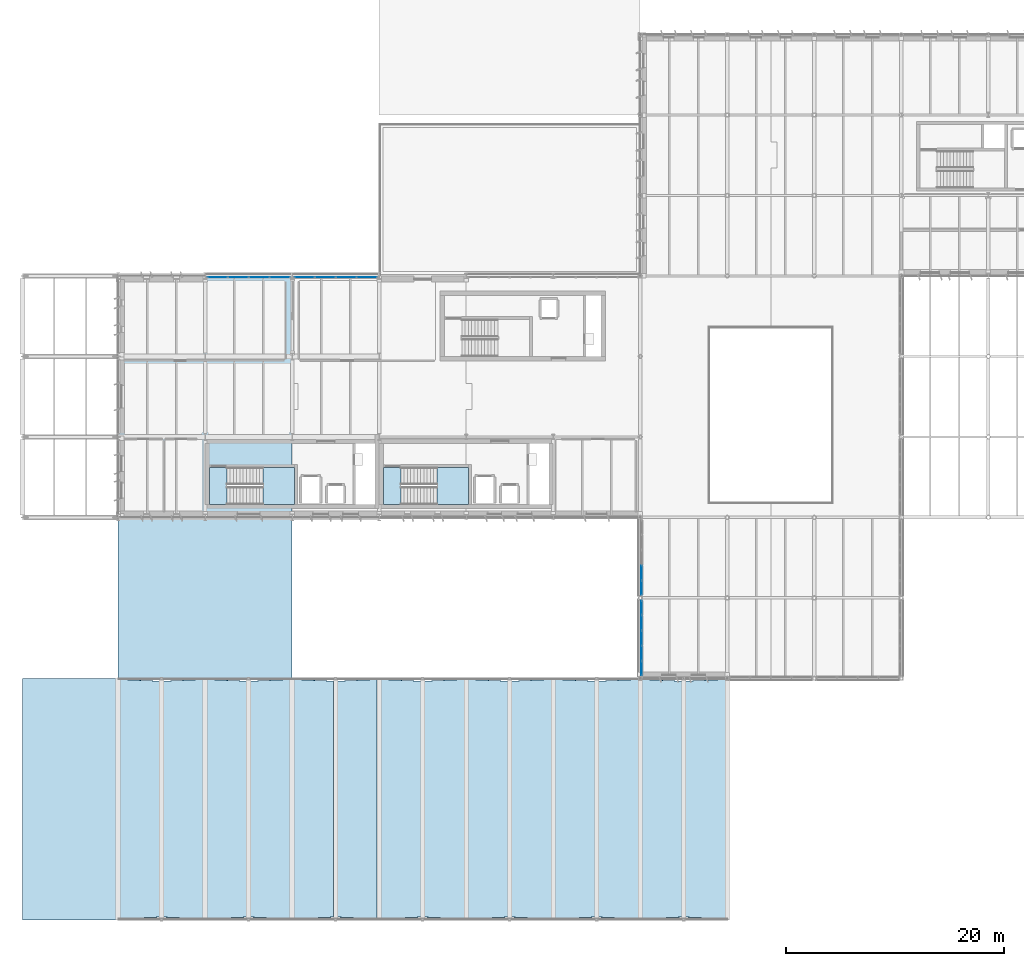
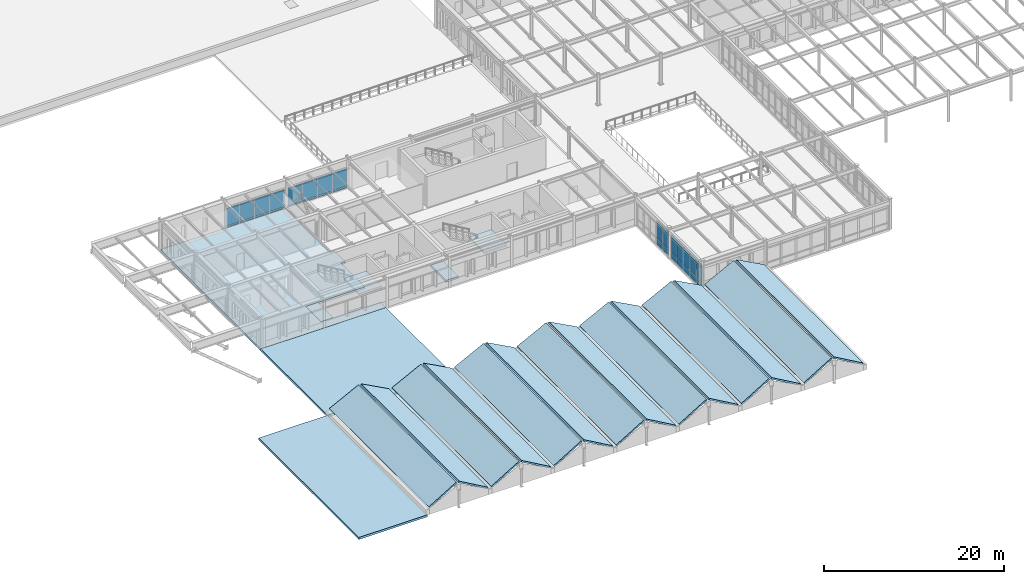
# One storey, part 29 of 63: 37 plates, 21 slabs, 6 elements without a shape of their own.
"""IFC4 building model written with IfcOpenShell, lengths in metres."""

from ifc_helpers import new_model, si_unit, direction, frame, origin, origin_2d, place, context, subcontext, project, spatial, polyline, rectangle, outline, extrude, material, layer, layer_set, type_object, element, aggregate, save


model = new_model("IFC4")

# Units and contexts
model_context = context("Model", 3, precision=1e-05, world=origin(), true_north=direction((0.0, 1.0)))
body_context = subcontext(model_context, "Body", "Model", "MODEL_VIEW")
ifc_project = project(units=[si_unit("LENGTHUNIT", "METRE"), si_unit("AREAUNIT", "SQUARE_METRE"), si_unit("VOLUMEUNIT", "CUBIC_METRE"), si_unit("PLANEANGLEUNIT", "RADIAN"), si_unit("MASSUNIT", "GRAM", prefix="KILO")], contexts=[model_context])

# Site, building, storey
site_placement = place(None, origin())
site = spatial("IfcSite", under=ifc_project, at=site_placement, CompositionType="ELEMENT")
building_placement = place(site_placement, origin())
building = spatial("IfcBuilding", under=site, at=building_placement, Name="Valkorina Park Police Headquarters", CompositionType="ELEMENT")
storey_placement = place(building_placement, frame((0.0, 0.0, 9.89990234375)))
storey = spatial("IfcBuildingStorey", under=building, at=storey_placement, Name="L03", CompositionType="ELEMENT", Elevation=9.89990234375)

# Curtain wall, plates
ifc_material_1 = material(Name="Thermally broken aluminium AW-6060", Category="aluminium")
ifc_layer_1 = layer(ifc_material_1, 0.18994140625)
ifc_layer_set_1 = layer_set([ifc_layer_1], Name="Thermally broken aluminium AW-6060")
curtain_wall_type_1 = type_object("IfcCurtainWallType", Name="CW-V4-7020x3360", PredefinedType="NOTDEFINED", material=ifc_layer_set_1)
curtain_wall_1_placement = place(storey_placement, origin())
curtain_wall_1 = element("IfcCurtainWall", 1, at=curtain_wall_1_placement, inside=storey, type_object=curtain_wall_type_1, Name="L03 Unitised Curtain Wall 028", PredefinedType="NOTDEFINED")
ifc_material_2 = material(Name="Triple low-E insulated glazing", Category="glass")
ifc_layer_2 = layer(ifc_material_2, 0.0380859375)
ifc_layer_set_2 = layer_set([ifc_layer_2], Name="Triple low-E insulated glazing")
plate_type_1 = type_object("IfcPlateType", Name="PL-CWP-ACOUST-38", PredefinedType="CURTAIN_PANEL", material=ifc_layer_set_2)
plate_1_placement = place(storey_placement, frame((56.919921875, 23.1103515625, 0.93994140625), z_axis=(0.0, 0.0, 1.0), x_axis=(0.0, 1.0, 0.0)))
plate_1 = element("IfcPlate", 2, at=plate_1_placement, type_object=plate_type_1, Name="CW-V4-702-336 panel 1.2", PredefinedType="CURTAIN_PANEL", context=body_context, shape_type="SweptSolid", body=[
    extrude(rectangle(XDim=1.284912109375, YDim=0.0380859375, at=origin_2d()), origin(), (0.0, 0.0, 1.0), 1.860107421875),
])
plate_2_placement = place(storey_placement, frame((56.919921875, 23.1103515625, 2.880126953125), z_axis=(0.0, 0.0, 1.0), x_axis=(0.0, 1.0, 0.0)))
plate_2 = element("IfcPlate", 3, at=plate_2_placement, type_object=plate_type_1, Name="CW-V4-702-336 panel 1.3", PredefinedType="CURTAIN_PANEL", context=body_context, shape_type="SweptSolid", body=[
    extrude(rectangle(XDim=1.284912109375, YDim=0.0380859375, at=origin_2d()), origin(), (0.0, 0.0, 1.0), 0.39990234375),
])
plate_3_placement = place(storey_placement, frame((56.919921875, 24.4951171875, 0.93994140625), z_axis=(0.0, 0.0, 1.0), x_axis=(0.0, 1.0, 0.0)))
plate_3 = element("IfcPlate", 4, at=plate_3_placement, type_object=plate_type_1, Name="CW-V4-702-336 panel 2.2", PredefinedType="CURTAIN_PANEL", context=body_context, shape_type="SweptSolid", body=[
    extrude(rectangle(XDim=1.324951171875, YDim=0.0380859375, at=origin_2d()), origin(), (0.0, 0.0, 1.0), 1.860107421875),
])
plate_4_placement = place(storey_placement, frame((56.919921875, 24.4951171875, 2.880126953125), z_axis=(0.0, 0.0, 1.0), x_axis=(0.0, 1.0, 0.0)))
plate_4 = element("IfcPlate", 5, at=plate_4_placement, type_object=plate_type_1, Name="CW-V4-702-336 panel 2.3", PredefinedType="CURTAIN_PANEL", context=body_context, shape_type="SweptSolid", body=[
    extrude(rectangle(XDim=1.324951171875, YDim=0.0380859375, at=origin_2d()), origin(), (0.0, 0.0, 1.0), 0.39990234375),
])
plate_5_placement = place(storey_placement, frame((56.919921875, 25.89990234375, 0.93994140625), z_axis=(0.0, 0.0, 1.0), x_axis=(0.0, 1.0, 0.0)))
plate_5 = element("IfcPlate", 6, at=plate_5_placement, type_object=plate_type_1, Name="CW-V4-702-336 panel 3.2", PredefinedType="CURTAIN_PANEL", context=body_context, shape_type="SweptSolid", body=[
    extrude(rectangle(XDim=1.324951171875, YDim=0.0380859375, at=origin_2d()), origin(), (0.0, 0.0, 1.0), 1.860107421875),
])
plate_6_placement = place(storey_placement, frame((56.919921875, 25.89990234375, 2.880126953125), z_axis=(0.0, 0.0, 1.0), x_axis=(0.0, 1.0, 0.0)))
plate_6 = element("IfcPlate", 7, at=plate_6_placement, type_object=plate_type_1, Name="CW-V4-702-336 panel 3.3", PredefinedType="CURTAIN_PANEL", context=body_context, shape_type="SweptSolid", body=[
    extrude(rectangle(XDim=1.324951171875, YDim=0.0380859375, at=origin_2d()), origin(), (0.0, 0.0, 1.0), 0.39990234375),
])
plate_7_placement = place(storey_placement, frame((56.919921875, 27.304931640625, 0.93994140625), z_axis=(0.0, 0.0, 1.0), x_axis=(0.0, 1.0, 0.0)))
plate_7 = element("IfcPlate", 8, at=plate_7_placement, type_object=plate_type_1, Name="CW-V4-702-336 panel 4.2", PredefinedType="CURTAIN_PANEL", context=body_context, shape_type="SweptSolid", body=[
    extrude(rectangle(XDim=1.324951171875, YDim=0.0380859375, at=origin_2d()), origin(), (0.0, 0.0, 1.0), 1.860107421875),
])
plate_8_placement = place(storey_placement, frame((56.919921875, 27.304931640625, 2.880126953125), z_axis=(0.0, 0.0, 1.0), x_axis=(0.0, 1.0, 0.0)))
plate_8 = element("IfcPlate", 9, at=plate_8_placement, type_object=plate_type_1, Name="CW-V4-702-336 panel 4.3", PredefinedType="CURTAIN_PANEL", context=body_context, shape_type="SweptSolid", body=[
    extrude(rectangle(XDim=1.324951171875, YDim=0.0380859375, at=origin_2d()), origin(), (0.0, 0.0, 1.0), 0.39990234375),
])
plate_9_placement = place(storey_placement, frame((56.919921875, 28.689697265625, 0.93994140625), z_axis=(0.0, 0.0, 1.0), x_axis=(0.0, 1.0, 0.0)))
plate_9 = element("IfcPlate", 10, at=plate_9_placement, type_object=plate_type_1, Name="CW-V4-702-336 panel 5.2", PredefinedType="CURTAIN_PANEL", context=body_context, shape_type="SweptSolid", body=[
    extrude(rectangle(XDim=1.284912109375, YDim=0.0380859375, at=origin_2d()), origin(), (0.0, 0.0, 1.0), 1.860107421875),
])
plate_10_placement = place(storey_placement, frame((56.919921875, 28.689697265625, 2.880126953125), z_axis=(0.0, 0.0, 1.0), x_axis=(0.0, 1.0, 0.0)))
plate_10 = element("IfcPlate", 11, at=plate_10_placement, type_object=plate_type_1, Name="CW-V4-702-336 panel 5.3", PredefinedType="CURTAIN_PANEL", context=body_context, shape_type="SweptSolid", body=[
    extrude(rectangle(XDim=1.284912109375, YDim=0.0380859375, at=origin_2d()), origin(), (0.0, 0.0, 1.0), 0.39990234375),
])

curtain_wall_2_placement = place(storey_placement, origin())
curtain_wall_2 = element("IfcCurtainWall", 12, at=curtain_wall_2_placement, inside=storey, type_object=curtain_wall_type_1, Name="L03 Unitised Curtain Wall 029", PredefinedType="NOTDEFINED")
plate_11_placement = place(storey_placement, frame((56.919921875, 30.51025390625, 0.93994140625), z_axis=(0.0, 0.0, 1.0), x_axis=(0.0, 1.0, 0.0)))
plate_11 = element("IfcPlate", 13, at=plate_11_placement, type_object=plate_type_1, Name="CW-V4-702-336 panel 1.2", PredefinedType="CURTAIN_PANEL", context=body_context, shape_type="SweptSolid", body=[
    extrude(rectangle(XDim=1.284912109375, YDim=0.0380859375, at=origin_2d()), origin(), (0.0, 0.0, 1.0), 1.860107421875),
])
plate_12_placement = place(storey_placement, frame((56.919921875, 30.51025390625, 2.880126953125), z_axis=(0.0, 0.0, 1.0), x_axis=(0.0, 1.0, 0.0)))
plate_12 = element("IfcPlate", 14, at=plate_12_placement, type_object=plate_type_1, Name="CW-V4-702-336 panel 1.3", PredefinedType="CURTAIN_PANEL", context=body_context, shape_type="SweptSolid", body=[
    extrude(rectangle(XDim=1.284912109375, YDim=0.0380859375, at=origin_2d()), origin(), (0.0, 0.0, 1.0), 0.39990234375),
])
plate_13_placement = place(storey_placement, frame((56.919921875, 31.89501953125, 0.93994140625), z_axis=(0.0, 0.0, 1.0), x_axis=(0.0, 1.0, 0.0)))
plate_13 = element("IfcPlate", 15, at=plate_13_placement, type_object=plate_type_1, Name="CW-V4-702-336 panel 2.2", PredefinedType="CURTAIN_PANEL", context=body_context, shape_type="SweptSolid", body=[
    extrude(rectangle(XDim=1.324951171875, YDim=0.0380859375, at=origin_2d()), origin(), (0.0, 0.0, 1.0), 1.860107421875),
])
plate_14_placement = place(storey_placement, frame((56.919921875, 31.89501953125, 2.880126953125), z_axis=(0.0, 0.0, 1.0), x_axis=(0.0, 1.0, 0.0)))
plate_14 = element("IfcPlate", 16, at=plate_14_placement, type_object=plate_type_1, Name="CW-V4-702-336 panel 2.3", PredefinedType="CURTAIN_PANEL", context=body_context, shape_type="SweptSolid", body=[
    extrude(rectangle(XDim=1.324951171875, YDim=0.0380859375, at=origin_2d()), origin(), (0.0, 0.0, 1.0), 0.39990234375),
])

# Plate
ifc_layer_3 = layer(ifc_material_1, 0.06494140625)
ifc_layer_set_3 = layer_set([ifc_layer_3], Name="Thermally broken aluminium AW-6060")
plate_type_2 = type_object("IfcPlateType", Name="PL-CWP-INSUL-65", PredefinedType="CURTAIN_PANEL", material=ifc_layer_set_3)
plate_15_placement = place(storey_placement, frame((56.919921875, 23.1103515625, 0.080078125), z_axis=(0.0, 0.0, 1.0), x_axis=(0.0, 1.0, 0.0)))
plate_15 = element("IfcPlate", 17, at=plate_15_placement, type_object=plate_type_2, Name="CW-V4-702-336 panel 1.1", PredefinedType="CURTAIN_PANEL", context=body_context, shape_type="SweptSolid", body=[
    extrude(rectangle(XDim=1.284912109375, YDim=0.0380859375, at=origin_2d()), origin(), (0.0, 0.0, 1.0), 0.780029296875),
])

plate_16_placement = place(storey_placement, frame((56.919921875, 24.4951171875, 0.080078125), z_axis=(0.0, 0.0, 1.0), x_axis=(0.0, 1.0, 0.0)))
plate_16 = element("IfcPlate", 18, at=plate_16_placement, type_object=plate_type_2, Name="CW-V4-702-336 panel 2.1", PredefinedType="CURTAIN_PANEL", context=body_context, shape_type="SweptSolid", body=[
    extrude(rectangle(XDim=1.324951171875, YDim=0.0380859375, at=origin_2d()), origin(), (0.0, 0.0, 1.0), 0.780029296875),
])

plate_17_placement = place(storey_placement, frame((56.919921875, 25.89990234375, 0.080078125), z_axis=(0.0, 0.0, 1.0), x_axis=(0.0, 1.0, 0.0)))
plate_17 = element("IfcPlate", 19, at=plate_17_placement, type_object=plate_type_2, Name="CW-V4-702-336 panel 3.1", PredefinedType="CURTAIN_PANEL", context=body_context, shape_type="SweptSolid", body=[
    extrude(rectangle(XDim=1.324951171875, YDim=0.0380859375, at=origin_2d()), origin(), (0.0, 0.0, 1.0), 0.780029296875),
])

plate_18_placement = place(storey_placement, frame((56.919921875, 27.304931640625, 0.080078125), z_axis=(0.0, 0.0, 1.0), x_axis=(0.0, 1.0, 0.0)))
plate_18 = element("IfcPlate", 20, at=plate_18_placement, type_object=plate_type_2, Name="CW-V4-702-336 panel 4.1", PredefinedType="CURTAIN_PANEL", context=body_context, shape_type="SweptSolid", body=[
    extrude(rectangle(XDim=1.324951171875, YDim=0.0380859375, at=origin_2d()), origin(), (0.0, 0.0, 1.0), 0.780029296875),
])

plate_19_placement = place(storey_placement, frame((56.919921875, 28.689697265625, 0.080078125), z_axis=(0.0, 0.0, 1.0), x_axis=(0.0, 1.0, 0.0)))
plate_19 = element("IfcPlate", 21, at=plate_19_placement, type_object=plate_type_2, Name="CW-V4-702-336 panel 5.1", PredefinedType="CURTAIN_PANEL", context=body_context, shape_type="SweptSolid", body=[
    extrude(rectangle(XDim=1.284912109375, YDim=0.0380859375, at=origin_2d()), origin(), (0.0, 0.0, 1.0), 0.780029296875),
])

aggregate(curtain_wall_1, [plate_15, plate_1, plate_2, plate_16, plate_3, plate_4, plate_17, plate_5, plate_6, plate_18, plate_7, plate_8, plate_19, plate_9, plate_10])

plate_20_placement = place(storey_placement, frame((56.919921875, 30.51025390625, 0.080078125), z_axis=(0.0, 0.0, 1.0), x_axis=(0.0, 1.0, 0.0)))
plate_20 = element("IfcPlate", 22, at=plate_20_placement, type_object=plate_type_2, Name="CW-V4-702-336 panel 1.1", PredefinedType="CURTAIN_PANEL", context=body_context, shape_type="SweptSolid", body=[
    extrude(rectangle(XDim=1.284912109375, YDim=0.0380859375, at=origin_2d()), origin(), (0.0, 0.0, 1.0), 0.780029296875),
])

plate_21_placement = place(storey_placement, frame((56.919921875, 31.89501953125, 0.080078125), z_axis=(0.0, 0.0, 1.0), x_axis=(0.0, 1.0, 0.0)))
plate_21 = element("IfcPlate", 23, at=plate_21_placement, type_object=plate_type_2, Name="CW-V4-702-336 panel 2.1", PredefinedType="CURTAIN_PANEL", context=body_context, shape_type="SweptSolid", body=[
    extrude(rectangle(XDim=1.324951171875, YDim=0.0380859375, at=origin_2d()), origin(), (0.0, 0.0, 1.0), 0.780029296875),
])

aggregate(curtain_wall_2, [plate_20, plate_11, plate_12, plate_21, plate_13, plate_14])

# Curtain wall, plates
ifc_layer_4 = layer(ifc_material_1, 0.18994140625)
ifc_layer_set_4 = layer_set([ifc_layer_4], Name="Thermally broken aluminium AW-6060")
curtain_wall_type_2 = type_object("IfcCurtainWallType", Name="CW-COURT-7680x2740", PredefinedType="NOTDEFINED", material=ifc_layer_set_4)
curtain_wall_3_placement = place(storey_placement, origin())
curtain_wall_3 = element("IfcCurtainWall", 24, at=curtain_wall_3_placement, inside=storey, type_object=curtain_wall_type_2, Name="L03 Unitised Curtain Wall 016", PredefinedType="NOTDEFINED")
ifc_layer_5 = layer(ifc_material_1, 0.050048828125)
ifc_layer_set_5 = layer_set([ifc_layer_5], Name="Thermally broken aluminium AW-6060")
plate_type_3 = type_object("IfcPlateType", Name="PL-CWP-SPANDREL-50", PredefinedType="CURTAIN_PANEL", material=ifc_layer_set_5)
plate_22_placement = place(storey_placement, frame((17.93505859375, 59.080078125, 0.06005859375), z_axis=(0.0, 0.0, 1.0), x_axis=(1.0, 0.0, 0.0)))
plate_22 = element("IfcPlate", 25, at=plate_22_placement, type_object=plate_type_3, Name="CW-COURT-768-274 panel 1.1", PredefinedType="CURTAIN_PANEL", context=body_context, shape_type="SweptSolid", body=[
    extrude(rectangle(XDim=1.830078125, YDim=0.028076171875, at=origin_2d()), origin(), (0.0, 0.0, 1.0), 0.2099609375),
])
plate_23_placement = place(storey_placement, frame((19.840087890625, 59.080078125, 0.06005859375), z_axis=(0.0, 0.0, 1.0), x_axis=(1.0, 0.0, 0.0)))
plate_23 = element("IfcPlate", 26, at=plate_23_placement, type_object=plate_type_3, Name="CW-COURT-768-274 panel 2.1", PredefinedType="CURTAIN_PANEL", context=body_context, shape_type="SweptSolid", body=[
    extrude(rectangle(XDim=1.860107421875, YDim=0.028076171875, at=origin_2d()), origin(), (0.0, 0.0, 1.0), 0.2099609375),
])
plate_24_placement = place(storey_placement, frame((21.760009765625, 59.080078125, 0.06005859375), z_axis=(0.0, 0.0, 1.0), x_axis=(1.0, 0.0, 0.0)))
plate_24 = element("IfcPlate", 27, at=plate_24_placement, type_object=plate_type_3, Name="CW-COURT-768-274 panel 3.1", PredefinedType="CURTAIN_PANEL", context=body_context, shape_type="SweptSolid", body=[
    extrude(rectangle(XDim=1.860107421875, YDim=0.028076171875, at=origin_2d()), origin(), (0.0, 0.0, 1.0), 0.2099609375),
])
plate_25_placement = place(storey_placement, frame((23.6650390625, 59.080078125, 0.06005859375), z_axis=(0.0, 0.0, 1.0), x_axis=(1.0, 0.0, 0.0)))
plate_25 = element("IfcPlate", 28, at=plate_25_placement, type_object=plate_type_3, Name="CW-COURT-768-274 panel 4.1", PredefinedType="CURTAIN_PANEL", context=body_context, shape_type="SweptSolid", body=[
    extrude(rectangle(XDim=1.830078125, YDim=0.028076171875, at=origin_2d()), origin(), (0.0, 0.0, 1.0), 0.2099609375),
])

curtain_wall_4_placement = place(storey_placement, origin())
curtain_wall_4 = element("IfcCurtainWall", 29, at=curtain_wall_4_placement, inside=storey, type_object=curtain_wall_type_2, Name="L03 Unitised Curtain Wall 017", PredefinedType="NOTDEFINED")
plate_26_placement = place(storey_placement, frame((25.93505859375, 59.080078125, 0.06005859375), z_axis=(0.0, 0.0, 1.0), x_axis=(1.0, 0.0, 0.0)))
plate_26 = element("IfcPlate", 30, at=plate_26_placement, type_object=plate_type_3, Name="CW-COURT-768-274 panel 1.1", PredefinedType="CURTAIN_PANEL", context=body_context, shape_type="SweptSolid", body=[
    extrude(rectangle(XDim=1.830078125, YDim=0.028076171875, at=origin_2d()), origin(), (0.0, 0.0, 1.0), 0.2099609375),
])
plate_27_placement = place(storey_placement, frame((27.840087890625, 59.080078125, 0.06005859375), z_axis=(0.0, 0.0, 1.0), x_axis=(1.0, 0.0, 0.0)))
plate_27 = element("IfcPlate", 31, at=plate_27_placement, type_object=plate_type_3, Name="CW-COURT-768-274 panel 2.1", PredefinedType="CURTAIN_PANEL", context=body_context, shape_type="SweptSolid", body=[
    extrude(rectangle(XDim=1.860107421875, YDim=0.028076171875, at=origin_2d()), origin(), (0.0, 0.0, 1.0), 0.2099609375),
])
plate_28_placement = place(storey_placement, frame((29.760009765625, 59.080078125, 0.06005859375), z_axis=(0.0, 0.0, 1.0), x_axis=(1.0, 0.0, 0.0)))
plate_28 = element("IfcPlate", 32, at=plate_28_placement, type_object=plate_type_3, Name="CW-COURT-768-274 panel 3.1", PredefinedType="CURTAIN_PANEL", context=body_context, shape_type="SweptSolid", body=[
    extrude(rectangle(XDim=1.860107421875, YDim=0.028076171875, at=origin_2d()), origin(), (0.0, 0.0, 1.0), 0.2099609375),
])
plate_29_placement = place(storey_placement, frame((31.6650390625, 59.080078125, 0.06005859375), z_axis=(0.0, 0.0, 1.0), x_axis=(1.0, 0.0, 0.0)))
plate_29 = element("IfcPlate", 33, at=plate_29_placement, type_object=plate_type_3, Name="CW-COURT-768-274 panel 4.1", PredefinedType="CURTAIN_PANEL", context=body_context, shape_type="SweptSolid", body=[
    extrude(rectangle(XDim=1.830078125, YDim=0.028076171875, at=origin_2d()), origin(), (0.0, 0.0, 1.0), 0.2099609375),
])

# Plate
ifc_layer_6 = layer(ifc_material_2, 0.028076171875)
ifc_layer_set_6 = layer_set([ifc_layer_6], Name="Triple low-E insulated glazing")
plate_type_4 = type_object("IfcPlateType", Name="PL-CWP-VISION-28", PredefinedType="CURTAIN_PANEL", material=ifc_layer_set_6)
plate_30_placement = place(storey_placement, frame((17.93505859375, 59.080078125, 0.330078125), z_axis=(0.0, 0.0, 1.0), x_axis=(1.0, 0.0, 0.0)))
plate_30 = element("IfcPlate", 34, at=plate_30_placement, type_object=plate_type_4, Name="CW-COURT-768-274 panel 1.2", PredefinedType="CURTAIN_PANEL", context=body_context, shape_type="SweptSolid", body=[
    extrude(rectangle(XDim=1.830078125, YDim=0.028076171875, at=origin_2d()), origin(), (0.0, 0.0, 1.0), 2.35498046875),
])

plate_31_placement = place(storey_placement, frame((19.840087890625, 59.080078125, 0.330078125), z_axis=(0.0, 0.0, 1.0), x_axis=(1.0, 0.0, 0.0)))
plate_31 = element("IfcPlate", 35, at=plate_31_placement, type_object=plate_type_4, Name="CW-COURT-768-274 panel 2.2", PredefinedType="CURTAIN_PANEL", context=body_context, shape_type="SweptSolid", body=[
    extrude(rectangle(XDim=1.860107421875, YDim=0.028076171875, at=origin_2d()), origin(), (0.0, 0.0, 1.0), 2.35498046875),
])

plate_32_placement = place(storey_placement, frame((21.760009765625, 59.080078125, 0.330078125), z_axis=(0.0, 0.0, 1.0), x_axis=(1.0, 0.0, 0.0)))
plate_32 = element("IfcPlate", 36, at=plate_32_placement, type_object=plate_type_4, Name="CW-COURT-768-274 panel 3.2", PredefinedType="CURTAIN_PANEL", context=body_context, shape_type="SweptSolid", body=[
    extrude(rectangle(XDim=1.860107421875, YDim=0.028076171875, at=origin_2d()), origin(), (0.0, 0.0, 1.0), 2.35498046875),
])

plate_33_placement = place(storey_placement, frame((23.6650390625, 59.080078125, 0.330078125), z_axis=(0.0, 0.0, 1.0), x_axis=(1.0, 0.0, 0.0)))
plate_33 = element("IfcPlate", 37, at=plate_33_placement, type_object=plate_type_4, Name="CW-COURT-768-274 panel 4.2", PredefinedType="CURTAIN_PANEL", context=body_context, shape_type="SweptSolid", body=[
    extrude(rectangle(XDim=1.830078125, YDim=0.028076171875, at=origin_2d()), origin(), (0.0, 0.0, 1.0), 2.35498046875),
])

aggregate(curtain_wall_3, [plate_22, plate_30, plate_23, plate_31, plate_24, plate_32, plate_25, plate_33])

plate_34_placement = place(storey_placement, frame((25.93505859375, 59.080078125, 0.330078125), z_axis=(0.0, 0.0, 1.0), x_axis=(1.0, 0.0, 0.0)))
plate_34 = element("IfcPlate", 38, at=plate_34_placement, type_object=plate_type_4, Name="CW-COURT-768-274 panel 1.2", PredefinedType="CURTAIN_PANEL", context=body_context, shape_type="SweptSolid", body=[
    extrude(rectangle(XDim=1.830078125, YDim=0.028076171875, at=origin_2d()), origin(), (0.0, 0.0, 1.0), 2.35498046875),
])

plate_35_placement = place(storey_placement, frame((27.840087890625, 59.080078125, 0.330078125), z_axis=(0.0, 0.0, 1.0), x_axis=(1.0, 0.0, 0.0)))
plate_35 = element("IfcPlate", 39, at=plate_35_placement, type_object=plate_type_4, Name="CW-COURT-768-274 panel 2.2", PredefinedType="CURTAIN_PANEL", context=body_context, shape_type="SweptSolid", body=[
    extrude(rectangle(XDim=1.860107421875, YDim=0.028076171875, at=origin_2d()), origin(), (0.0, 0.0, 1.0), 2.35498046875),
])

plate_36_placement = place(storey_placement, frame((29.760009765625, 59.080078125, 0.330078125), z_axis=(0.0, 0.0, 1.0), x_axis=(1.0, 0.0, 0.0)))
plate_36 = element("IfcPlate", 40, at=plate_36_placement, type_object=plate_type_4, Name="CW-COURT-768-274 panel 3.2", PredefinedType="CURTAIN_PANEL", context=body_context, shape_type="SweptSolid", body=[
    extrude(rectangle(XDim=1.860107421875, YDim=0.028076171875, at=origin_2d()), origin(), (0.0, 0.0, 1.0), 2.35498046875),
])

plate_37_placement = place(storey_placement, frame((31.6650390625, 59.080078125, 0.330078125), z_axis=(0.0, 0.0, 1.0), x_axis=(1.0, 0.0, 0.0)))
plate_37 = element("IfcPlate", 41, at=plate_37_placement, type_object=plate_type_4, Name="CW-COURT-768-274 panel 4.2", PredefinedType="CURTAIN_PANEL", context=body_context, shape_type="SweptSolid", body=[
    extrude(rectangle(XDim=1.830078125, YDim=0.028076171875, at=origin_2d()), origin(), (0.0, 0.0, 1.0), 2.35498046875),
])

aggregate(curtain_wall_4, [plate_26, plate_34, plate_27, plate_35, plate_28, plate_36, plate_29, plate_37])

# Slabs
ifc_material_3 = material(Name="Concrete C35/45", Category="concrete")
ifc_layer_7 = layer(ifc_material_3, 0.2099609375)
ifc_layer_set_7 = layer_set([ifc_layer_7], Name="Concrete C35/45")
slab_type_1 = type_object("IfcSlabType", Name="SL-FOLD-HALL-210", PredefinedType="ROOF", material=ifc_layer_set_7)
slab_1_placement = place(storey_placement, frame((8.97998046875, 0.10009765625, 0.91015625), z_axis=(-0.485314285051, 0.0, 0.874339776475), x_axis=(0.873773576101, 0.035982359204, 0.485000007767)))
element("IfcSlab", 42, at=slab_1_placement, inside=storey, type_object=slab_type_1, Name="V1 Entrance Hall Folded-Plate Roof 1W", PredefinedType="ROOF", context=body_context, shape_type="SweptSolid", body=[
    extrude(outline(polyline([(0.0, 0.0), (4.165995422972437, 0.0), (4.946810860739697, 21.68589883112765), (0.7916119024794759, 21.985753355203748), (0.0, 0.0)])), origin(), (0.0, 0.0, -1.0), 0.2099609375),
])
slab_2_placement = place(storey_placement, frame((12.97998046875, 0.25, 2.9306640625), z_axis=(0.485314285051, 0.0, 0.874339776475), x_axis=(0.873773576101, -0.035982359204, -0.485000007767)))
element("IfcSlab", 43, at=slab_2_placement, inside=storey, type_object=slab_type_1, Name="V1 Entrance Hall Folded-Plate Roof 1E", PredefinedType="ROOF", context=body_context, shape_type="SweptSolid", body=[
    extrude(outline(polyline([(0.0, 0.0), (4.165995422972437, 0.0), (3.3743835204929615, 21.985753355203748), (-0.7808154377672591, 21.68589883112765), (0.0, 0.0)])), origin(), (0.0, 0.0, -1.0), 0.2099609375),
])
slab_3_placement = place(storey_placement, frame((16.97998046875, 0.10009765625, 0.91015625), z_axis=(-0.485314285051, 0.0, 0.874339776475), x_axis=(0.873773576101, 0.035982359204, 0.485000007767)))
element("IfcSlab", 44, at=slab_3_placement, inside=storey, type_object=slab_type_1, Name="V1 Entrance Hall Folded-Plate Roof 2W", PredefinedType="ROOF", context=body_context, shape_type="SweptSolid", body=[
    extrude(outline(polyline([(0.0, 0.0), (4.165995422972437, 0.0), (4.946810860739697, 21.68589883112765), (0.7916119024794759, 21.985753355203748), (0.0, 0.0)])), origin(), (0.0, 0.0, -1.0), 0.2099609375),
])
slab_4_placement = place(storey_placement, frame((20.97998046875, 0.25, 2.9306640625), z_axis=(0.485314285051, 0.0, 0.874339776475), x_axis=(0.873773576101, -0.035982359204, -0.485000007767)))
element("IfcSlab", 45, at=slab_4_placement, inside=storey, type_object=slab_type_1, Name="V1 Entrance Hall Folded-Plate Roof 2E", PredefinedType="ROOF", context=body_context, shape_type="SweptSolid", body=[
    extrude(outline(polyline([(0.0, 0.0), (4.165995422972437, 0.0), (3.3743835204929615, 21.985753355203748), (-0.7808154377672591, 21.68589883112765), (0.0, 0.0)])), origin(), (0.0, 0.0, -1.0), 0.2099609375),
])
slab_5_placement = place(storey_placement, frame((24.97998046875, 0.10009765625, 0.91015625), z_axis=(-0.485314285051, 0.0, 0.874339776475), x_axis=(0.873773576101, 0.035982359204, 0.485000007767)))
element("IfcSlab", 46, at=slab_5_placement, inside=storey, type_object=slab_type_1, Name="V1 Entrance Hall Folded-Plate Roof 3W", PredefinedType="ROOF", context=body_context, shape_type="SweptSolid", body=[
    extrude(outline(polyline([(0.0, 0.0), (4.165995422972437, 0.0), (4.946810860739697, 21.68589883112765), (0.7916119024794759, 21.985753355203748), (0.0, 0.0)])), origin(), (0.0, 0.0, -1.0), 0.2099609375),
])
slab_6_placement = place(storey_placement, frame((28.97998046875, 0.25, 2.9306640625), z_axis=(0.485314285051, 0.0, 0.874339776475), x_axis=(0.873773576101, -0.035982359204, -0.485000007767)))
element("IfcSlab", 47, at=slab_6_placement, inside=storey, type_object=slab_type_1, Name="V1 Entrance Hall Folded-Plate Roof 3E", PredefinedType="ROOF", context=body_context, shape_type="SweptSolid", body=[
    extrude(outline(polyline([(0.0, 0.0), (4.165995422972437, 0.0), (3.3743835204929615, 21.985753355203748), (-0.7808154377672591, 21.68589883112765), (0.0, 0.0)])), origin(), (0.0, 0.0, -1.0), 0.2099609375),
])
slab_7_placement = place(storey_placement, frame((32.97998046875, 0.10009765625, 0.91015625), z_axis=(-0.485314285051, 0.0, 0.874339776475), x_axis=(0.873773576101, 0.035982359204, 0.485000007767)))
element("IfcSlab", 48, at=slab_7_placement, inside=storey, type_object=slab_type_1, Name="V1 Entrance Hall Folded-Plate Roof 4W", PredefinedType="ROOF", context=body_context, shape_type="SweptSolid", body=[
    extrude(outline(polyline([(0.0, 0.0), (4.165995422972437, 0.0), (4.946810860739697, 21.68589883112765), (0.7916119024794759, 21.985753355203748), (0.0, 0.0)])), origin(), (0.0, 0.0, -1.0), 0.2099609375),
])
slab_8_placement = place(storey_placement, frame((36.97998046875, 0.25, 2.9306640625), z_axis=(0.485314285051, 0.0, 0.874339776475), x_axis=(0.873773576101, -0.035982359204, -0.485000007767)))
element("IfcSlab", 49, at=slab_8_placement, inside=storey, type_object=slab_type_1, Name="V1 Entrance Hall Folded-Plate Roof 4E", PredefinedType="ROOF", context=body_context, shape_type="SweptSolid", body=[
    extrude(outline(polyline([(0.0, 0.0), (4.165995422972437, 0.0), (3.3743835204929615, 21.985753355203748), (-0.7808154377672591, 21.68589883112765), (0.0, 0.0)])), origin(), (0.0, 0.0, -1.0), 0.2099609375),
])
slab_9_placement = place(storey_placement, frame((40.97998046875, 0.10009765625, 0.91015625), z_axis=(-0.485314285051, 0.0, 0.874339776475), x_axis=(0.873773576101, 0.035982359204, 0.485000007767)))
element("IfcSlab", 50, at=slab_9_placement, inside=storey, type_object=slab_type_1, Name="V1 Entrance Hall Folded-Plate Roof 5W", PredefinedType="ROOF", context=body_context, shape_type="SweptSolid", body=[
    extrude(outline(polyline([(0.0, 0.0), (4.165995422972437, 0.0), (4.946810860739697, 21.68589883112765), (0.7916119024794759, 21.985753355203748), (0.0, 0.0)])), origin(), (0.0, 0.0, -1.0), 0.2099609375),
])
slab_10_placement = place(storey_placement, frame((44.97998046875, 0.25, 2.9306640625), z_axis=(0.485314285051, 0.0, 0.874339776475), x_axis=(0.873773576101, -0.035982359204, -0.485000007767)))
element("IfcSlab", 51, at=slab_10_placement, inside=storey, type_object=slab_type_1, Name="V1 Entrance Hall Folded-Plate Roof 5E", PredefinedType="ROOF", context=body_context, shape_type="SweptSolid", body=[
    extrude(outline(polyline([(0.0, 0.0), (4.165995422972437, 0.0), (3.3743835204929615, 21.985753355203748), (-0.7808154377672591, 21.68589883112765), (0.0, 0.0)])), origin(), (0.0, 0.0, -1.0), 0.2099609375),
])
slab_11_placement = place(storey_placement, frame((48.97998046875, 0.10009765625, 0.91015625), z_axis=(-0.485314285051, 0.0, 0.874339776475), x_axis=(0.873773576101, 0.035982359204, 0.485000007767)))
element("IfcSlab", 52, at=slab_11_placement, inside=storey, type_object=slab_type_1, Name="V1 Entrance Hall Folded-Plate Roof 6W", PredefinedType="ROOF", context=body_context, shape_type="SweptSolid", body=[
    extrude(outline(polyline([(0.0, 0.0), (4.165995422972437, 0.0), (4.946810860739697, 21.68589883112765), (0.7916119024794759, 21.985753355203748), (0.0, 0.0)])), origin(), (0.0, 0.0, -1.0), 0.2099609375),
])
slab_12_placement = place(storey_placement, frame((52.97998046875, 0.25, 2.9306640625), z_axis=(0.485314285051, 0.0, 0.874339776475), x_axis=(0.873773576101, -0.035982359204, -0.485000007767)))
element("IfcSlab", 53, at=slab_12_placement, inside=storey, type_object=slab_type_1, Name="V1 Entrance Hall Folded-Plate Roof 6E", PredefinedType="ROOF", context=body_context, shape_type="SweptSolid", body=[
    extrude(outline(polyline([(0.0, 0.0), (4.165995422972437, 0.0), (3.3743835204929615, 21.985753355203748), (-0.7808154377672591, 21.68589883112765), (0.0, 0.0)])), origin(), (0.0, 0.0, -1.0), 0.2099609375),
])
slab_13_placement = place(storey_placement, frame((56.97998046875, 0.10009765625, 0.91015625), z_axis=(-0.485314285051, 0.0, 0.874339776475), x_axis=(0.873773576101, 0.035982359204, 0.485000007767)))
element("IfcSlab", 54, at=slab_13_placement, inside=storey, type_object=slab_type_1, Name="V1 Entrance Hall Folded-Plate Roof 7W", PredefinedType="ROOF", context=body_context, shape_type="SweptSolid", body=[
    extrude(outline(polyline([(0.0, 0.0), (4.165995422972437, 0.0), (4.946810860739697, 21.68589883112765), (0.7916119024794759, 21.985753355203748), (0.0, 0.0)])), origin(), (0.0, 0.0, -1.0), 0.2099609375),
])
slab_14_placement = place(storey_placement, frame((60.97998046875, 0.25, 2.9306640625), z_axis=(0.485314285051, 0.0, 0.874339776475), x_axis=(0.873773576101, -0.035982359204, -0.485000007767)))
element("IfcSlab", 55, at=slab_14_placement, inside=storey, type_object=slab_type_1, Name="V1 Entrance Hall Folded-Plate Roof 7E", PredefinedType="ROOF", context=body_context, shape_type="SweptSolid", body=[
    extrude(outline(polyline([(0.0, 0.0), (4.165995422972437, 0.0), (3.3743835204929615, 21.985753355203748), (-0.7808154377672591, 21.68589883112765), (0.0, 0.0)])), origin(), (0.0, 0.0, -1.0), 0.2099609375),
])

# Stair, slab
stair_type = type_object("IfcStairType", Name="ST-DOGLEG-160-42", PredefinedType="HALF_TURN_STAIR", material=ifc_material_3)
stair_1_placement = place(storey_placement, origin())
stair_1 = element("IfcStair", 56, at=stair_1_placement, inside=storey, type_object=stair_type, Name="L03 Core C1 Protected Stair (ST-04)", PredefinedType="HALF_TURN_STAIR")
ifc_layer_8 = layer(ifc_material_3, 0.22998046875)
ifc_layer_set_8 = layer_set([ifc_layer_8], Name="Concrete C35/45")
slab_type_2 = type_object("IfcSlabType", Name="SL-LANDING-230", PredefinedType="LANDING", material=ifc_layer_set_8)
slab_15_placement = place(storey_placement, frame((0.0, 0.0, 1.8701171875)))
slab_15 = element("IfcSlab", 57, at=slab_15_placement, type_object=slab_type_2, Name="ST-04 landing 1", PredefinedType="LANDING", context=body_context, shape_type="SweptSolid", body=[
    extrude(outline(polyline([(22.10009765625, 38.199951171875), (25.0, 38.199951171875), (25.0, 41.60009765625), (22.10009765625, 41.60009765625), (22.10009765625, 38.199951171875)])), origin(), (0.0, 0.0, 1.0), 0.22998046875),
])
aggregate(stair_1, [slab_15])

stair_2_placement = place(storey_placement, origin())
stair_2 = element("IfcStair", 58, at=stair_2_placement, inside=storey, type_object=stair_type, Name="L03 Core C2 Protected Stair (ST-04)", PredefinedType="HALF_TURN_STAIR")
slab_16_placement = place(storey_placement, frame((0.0, 0.0, 1.8701171875)))
slab_16 = element("IfcSlab", 59, at=slab_16_placement, type_object=slab_type_2, Name="ST-04 landing 1", PredefinedType="LANDING", context=body_context, shape_type="SweptSolid", body=[
    extrude(outline(polyline([(38.10009765625, 38.199951171875), (41.0, 38.199951171875), (41.0, 41.60009765625), (38.10009765625, 41.60009765625), (38.10009765625, 38.199951171875)])), origin(), (0.0, 0.0, 1.0), 0.22998046875),
])
aggregate(stair_2, [slab_16])

# Slabs
ifc_layer_9 = layer(ifc_material_3, 0.260009765625)
ifc_layer_set_9 = layer_set([ifc_layer_9], Name="Concrete C35/45")
slab_type_3 = type_object("IfcSlabType", Name="SL-PODIUM-260", PredefinedType="FLOOR", material=ifc_layer_set_9)
slab_17_placement = place(storey_placement, frame((0.0, 0.0, -0.260009765625)))
element("IfcSlab", 60, at=slab_17_placement, inside=storey, type_object=slab_type_3, Name="L03 Structural Floor Slab 58", PredefinedType="FLOOR", context=body_context, shape_type="SweptSolid", body=[
    extrude(outline(polyline([(25.35009765625, 49.2958984375), (24.800048828125, 49.2958984375), (24.800048828125, 59.19189453125), (8.800048828125, 59.19189453125), (8.800048828125, 37.0), (24.800048828125, 37.0), (24.800048828125, 38.199951171875), (17.199951171875, 38.199951171875), (17.199951171875, 41.60009765625), (24.800048828125, 41.60009765625), (24.800048828125, 46.89599609375), (25.35009765625, 46.89599609375), (25.35009765625, 49.2958984375)])), origin(), (0.0, 0.0, 1.0), 0.260009765625),
])
ifc_layer_10 = layer(ifc_material_3, 0.280029296875)
ifc_layer_set_10 = layer_set([ifc_layer_10], Name="Concrete C35/45")
slab_type_4 = type_object("IfcSlabType", Name="SL-ROOF-FLAT-280", PredefinedType="ROOF", material=ifc_layer_set_10)
slab_18_placement = place(storey_placement, frame((0.0, 0.0, -0.27978515625)))
element("IfcSlab", 61, at=slab_18_placement, inside=storey, type_object=slab_type_4, Name="L03 Flat Roof Deck SLAB-L03-ROOF-V1M-1", PredefinedType="ROOF", context=body_context, shape_type="SweptSolid", body=[
    extrude(outline(polyline([(8.800048828125, 0.0), (8.800048828125, 22.199951171875), (0.0, 22.199951171875), (0.0, 0.0), (8.800048828125, 0.0)])), origin(), (0.0, 0.0, 1.0), 0.27978515625),
])
slab_19_placement = place(storey_placement, frame((0.0, 0.0, -0.27978515625)))
element("IfcSlab", 62, at=slab_19_placement, inside=storey, type_object=slab_type_4, Name="L03 Flat Roof Deck SLAB-L03-ROOF-V1M-2", PredefinedType="ROOF", context=body_context, shape_type="SweptSolid", body=[
    extrude(outline(polyline([(24.800048828125, 22.199951171875), (24.800048828125, 37.0), (8.800048828125, 37.0), (8.800048828125, 22.199951171875), (24.800048828125, 22.199951171875)])), origin(), (0.0, 0.0, 1.0), 0.27978515625),
])
ifc_material_4 = material(Name="Concrete C40/50", Category="concrete")
ifc_layer_11 = layer(ifc_material_4, 0.300048828125)
ifc_layer_set_11 = layer_set([ifc_layer_11], Name="Concrete C40/50")
slab_type_5 = type_object("IfcSlabType", Name="SL-VAULT-300", PredefinedType="FLOOR", material=ifc_layer_set_11)
slab_20_placement = place(storey_placement, frame((0.0, 0.0, -0.2998046875)))
element("IfcSlab", 63, at=slab_20_placement, inside=storey, type_object=slab_type_5, Name="L03 Core C1 Structural Floor Landing Slab", PredefinedType="FLOOR", context=body_context, shape_type="SweptSolid", body=[
    extrude(outline(polyline([(17.199951171875, 38.199951171875), (18.800048828125, 38.199951171875), (18.800048828125, 41.60009765625), (17.199951171875, 41.60009765625), (17.199951171875, 38.199951171875)])), origin(), (0.0, 0.0, 1.0), 0.2998046875),
])
slab_21_placement = place(storey_placement, frame((0.0, 0.0, -0.2998046875)))
element("IfcSlab", 64, at=slab_21_placement, inside=storey, type_object=slab_type_5, Name="L03 Core C2 Structural Floor Landing Slab", PredefinedType="FLOOR", context=body_context, shape_type="SweptSolid", body=[
    extrude(outline(polyline([(33.199951171875, 38.199951171875), (34.800048828125, 38.199951171875), (34.800048828125, 41.60009765625), (33.199951171875, 41.60009765625), (33.199951171875, 38.199951171875)])), origin(), (0.0, 0.0, 1.0), 0.2998046875),
])

save(model, "model.ifc")
